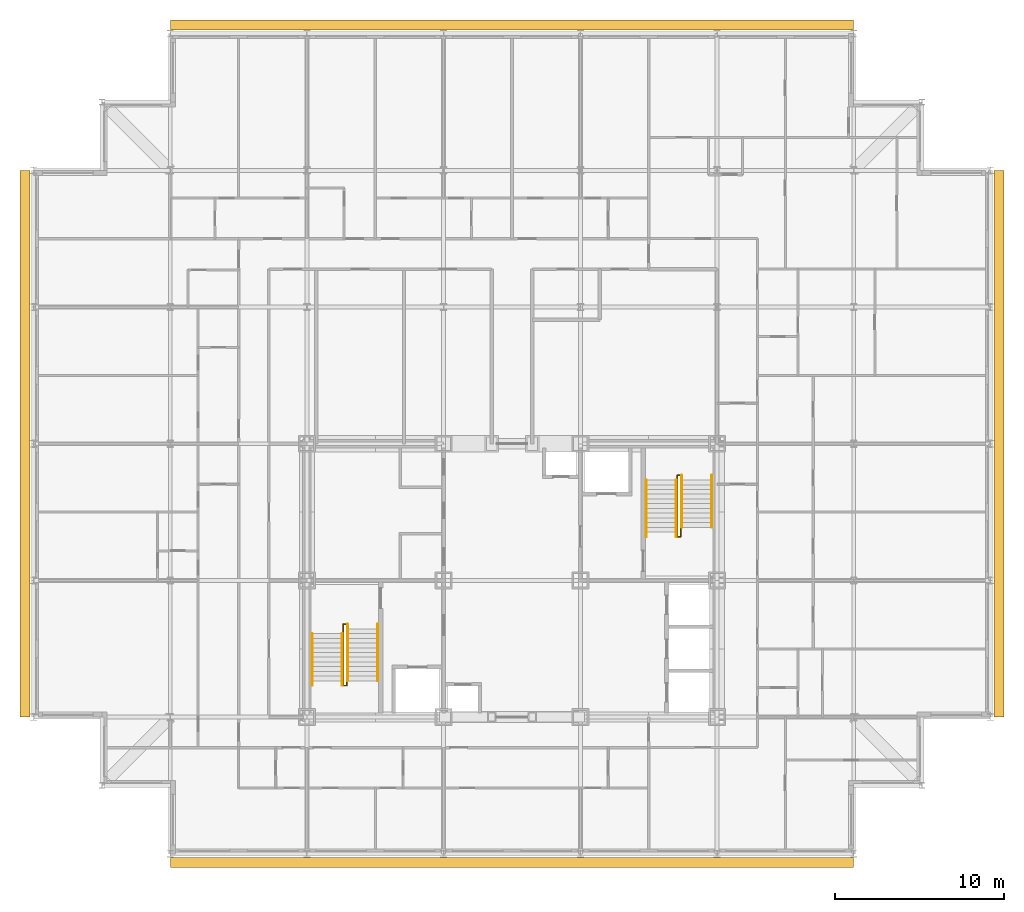
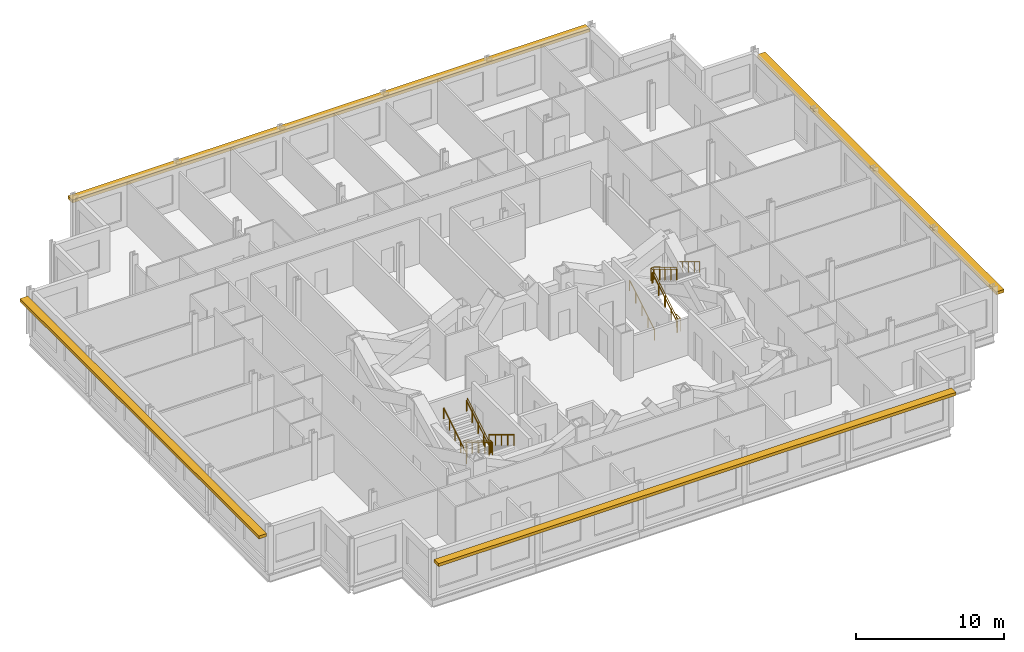
# One storey, part 15 of 15: 10 railings, 4 shading devices.
"""IFC4 building model written with IfcOpenShell, lengths in metres."""

from ifc_helpers import new_model, si_unit, direction, frame, origin, origin_2d, place, context, subcontext, project, spatial, rectangle, circle, extrude, material, type_object, element, save


model = new_model("IFC4")

# Units and contexts
model_context = context("Model", 3, precision=1e-05, world=origin(), true_north=direction((0.0, 1.0)))
body_context = subcontext(model_context, "Body", "Model", "MODEL_VIEW")
ifc_project = project(units=[si_unit("LENGTHUNIT", "METRE"), si_unit("AREAUNIT", "SQUARE_METRE"), si_unit("VOLUMEUNIT", "CUBIC_METRE"), si_unit("PLANEANGLEUNIT", "RADIAN"), si_unit("MASSUNIT", "GRAM", prefix="KILO")], contexts=[model_context])

# Site, building, storey
site_placement = place(None, origin())
site = spatial("IfcSite", under=ifc_project, at=site_placement, CompositionType="ELEMENT")
building_placement = place(site_placement, origin())
building = spatial("IfcBuilding", under=site, at=building_placement, Name="Kopane Lantern Tower", CompositionType="ELEMENT")
storey_placement = place(building_placement, frame((0.0, 0.0, 277.5)))
storey = spatial("IfcBuildingStorey", under=building, at=storey_placement, Name="L71", CompositionType="ELEMENT", Elevation=277.5)

# Railings
ifc_material_1 = material(Name="Steel", Category="steel")
railing_type_1 = type_object("IfcRailingType", Name="STAIR GUARD 1100", PredefinedType="GUARDRAIL", material=ifc_material_1)
railing_1_placement = place(storey_placement, frame((18.35009765625, 29.25, 0.0)))
element("IfcRailing", 1, at=railing_1_placement, inside=storey, type_object=railing_type_1, Name="ST1 well guard L71", PredefinedType="GUARDRAIL", context=body_context, shape_type="SweptSolid", body=[
    extrude(circle(Radius=0.02392578125, at=origin_2d()), frame((0.0, 0.0, 1.076171875), z_axis=(0.0, 1.0, 0.0), x_axis=(-1.0, 0.0, 0.0)), (0.0, 0.0, 1.0), 0.56005859375),
    extrude(circle(Radius=0.02392578125, at=origin_2d()), frame((0.0, 0.56005859375, 1.076171875), z_axis=(1.0, 0.0, 0.0), x_axis=(0.0, 1.0, 0.0)), (0.0, 0.0, 1.0), 0.199951171875),
    extrude(circle(Radius=0.02392578125, at=origin_2d()), frame((0.199951171875, 0.56005859375, 1.076171875), z_axis=(0.0, -0.855368916264, 0.518019321155), x_axis=(1.0, 0.0, 0.0)), (0.0, 0.0, 1.0), 3.92822265625),
    extrude(circle(Radius=0.02392578125, at=origin_2d()), frame((0.199951171875, -2.800048828125, 3.11083984375), z_axis=(0.0, -1.0, 0.0), x_axis=(1.0, 0.0, 0.0)), (0.0, 0.0, 1.0), 0.280029296875),
    extrude(circle(Radius=0.02392578125, at=origin_2d()), frame((0.199951171875, -3.080078125, 3.11083984375), z_axis=(-1.0, 0.0, 0.0), x_axis=(0.0, -1.0, 0.0)), (0.0, 0.0, 1.0), 0.199951171875),
    extrude(circle(Radius=0.02392578125, at=origin_2d()), frame((0.0, -3.080078125, 3.11083984375), z_axis=(0.0, 0.855409959129, 0.517951543895), x_axis=(-1.0, 0.0, 0.0)), (0.0, 0.0, 1.0), 3.6005859375),
    extrude(circle(Radius=0.02099609375, at=origin_2d()), origin(), (0.0, 0.0, 1.0), 1.052001953125),
    extrude(circle(Radius=0.02099609375, at=origin_2d()), frame((0.0, 0.56005859375, 0.0)), (0.0, 0.0, 1.0), 1.052001953125),
    extrude(circle(Radius=0.02099609375, at=origin_2d()), frame((0.199951171875, 0.56005859375, 0.0)), (0.0, 0.0, 1.0), 1.052001953125),
    extrude(circle(Radius=0.02099609375, at=origin_2d()), frame((0.199951171875, -0.280029296875, 0.5087890625)), (0.0, 0.0, 1.0), 1.052001953125),
    extrude(circle(Radius=0.02099609375, at=origin_2d()), frame((0.199951171875, -1.1201171875, 1.017578125)), (0.0, 0.0, 1.0), 1.052001953125),
    extrude(circle(Radius=0.02099609375, at=origin_2d()), frame((0.199951171875, -1.9599609375, 1.526123046875)), (0.0, 0.0, 1.0), 1.052001953125),
    extrude(circle(Radius=0.02099609375, at=origin_2d()), frame((0.199951171875, -2.800048828125, 2.034912109375)), (0.0, 0.0, 1.0), 1.052001953125),
    extrude(circle(Radius=0.02099609375, at=origin_2d()), frame((0.199951171875, -3.080078125, 2.034912109375)), (0.0, 0.0, 1.0), 1.052001953125),
    extrude(circle(Radius=0.02099609375, at=origin_2d()), frame((0.0, -3.080078125, 2.034912109375)), (0.0, 0.0, 1.0), 1.052001953125),
    extrude(circle(Radius=0.02099609375, at=origin_2d()), frame((0.0, -2.31005859375, 2.501220703125)), (0.0, 0.0, 1.0), 1.052001953125),
    extrude(circle(Radius=0.02099609375, at=origin_2d()), frame((0.0, -1.5400390625, 2.96728515625)), (0.0, 0.0, 1.0), 1.052001953125),
    extrude(circle(Radius=0.02099609375, at=origin_2d()), frame((0.0, -0.77001953125, 3.43359375)), (0.0, 0.0, 1.0), 1.052001953125),
    extrude(circle(Radius=0.02099609375, at=origin_2d()), frame((0.0, 0.0, 3.89990234375)), (0.0, 0.0, 1.0), 1.052001953125),
])
railing_2_placement = place(storey_placement, frame((38.35009765625, 35.550048828125, 0.0)))
element("IfcRailing", 2, at=railing_2_placement, inside=storey, type_object=railing_type_1, Name="ST2 well guard L71", PredefinedType="GUARDRAIL", context=body_context, shape_type="SweptSolid", body=[
    extrude(circle(Radius=0.02392578125, at=origin_2d()), frame((0.0, 0.0, 1.076171875), z_axis=(0.0, -1.0, 0.0), x_axis=(1.0, 0.0, 0.0)), (0.0, 0.0, 1.0), 0.56005859375),
    extrude(circle(Radius=0.02392578125, at=origin_2d()), frame((0.0, -0.56005859375, 1.076171875), z_axis=(-1.0, 0.0, 0.0), x_axis=(0.0, -1.0, 0.0)), (0.0, 0.0, 1.0), 0.2001953125),
    extrude(circle(Radius=0.02392578125, at=origin_2d()), frame((-0.2001953125, -0.56005859375, 1.076171875), z_axis=(0.0, 0.855368916264, 0.518019321155), x_axis=(-1.0, 0.0, 0.0)), (0.0, 0.0, 1.0), 3.92822265625),
    extrude(circle(Radius=0.02392578125, at=origin_2d()), frame((-0.2001953125, 2.800048828125, 3.11083984375), z_axis=(0.0, 1.0, 0.0), x_axis=(-1.0, 0.0, 0.0)), (0.0, 0.0, 1.0), 0.27978515625),
    extrude(circle(Radius=0.02392578125, at=origin_2d()), frame((-0.2001953125, 3.079833984375, 3.11083984375), z_axis=(1.0, 0.0, 0.0), x_axis=(0.0, 1.0, 0.0)), (0.0, 0.0, 1.0), 0.2001953125),
    extrude(circle(Radius=0.02392578125, at=origin_2d()), frame((0.0, 3.079833984375, 3.11083984375), z_axis=(0.0, -0.855391767622, 0.517981586434), x_axis=(1.0, 0.0, 0.0)), (0.0, 0.0, 1.0), 3.6005859375),
    extrude(circle(Radius=0.02099609375, at=origin_2d()), origin(), (0.0, 0.0, 1.0), 1.052001953125),
    extrude(circle(Radius=0.02099609375, at=origin_2d()), frame((0.0, -0.56005859375, 0.0)), (0.0, 0.0, 1.0), 1.052001953125),
    extrude(circle(Radius=0.02099609375, at=origin_2d()), frame((-0.2001953125, -0.56005859375, 0.0)), (0.0, 0.0, 1.0), 1.052001953125),
    extrude(circle(Radius=0.02099609375, at=origin_2d()), frame((-0.2001953125, 0.280029296875, 0.5087890625)), (0.0, 0.0, 1.0), 1.052001953125),
    extrude(circle(Radius=0.02099609375, at=origin_2d()), frame((-0.2001953125, 1.1201171875, 1.017578125)), (0.0, 0.0, 1.0), 1.052001953125),
    extrude(circle(Radius=0.02099609375, at=origin_2d()), frame((-0.2001953125, 1.9599609375, 1.526123046875)), (0.0, 0.0, 1.0), 1.052001953125),
    extrude(circle(Radius=0.02099609375, at=origin_2d()), frame((-0.2001953125, 2.800048828125, 2.034912109375)), (0.0, 0.0, 1.0), 1.052001953125),
    extrude(circle(Radius=0.02099609375, at=origin_2d()), frame((-0.2001953125, 3.079833984375, 2.034912109375)), (0.0, 0.0, 1.0), 1.052001953125),
    extrude(circle(Radius=0.02099609375, at=origin_2d()), frame((0.0, 3.079833984375, 2.034912109375)), (0.0, 0.0, 1.0), 1.052001953125),
    extrude(circle(Radius=0.02099609375, at=origin_2d()), frame((0.0, 2.309814453125, 2.501220703125)), (0.0, 0.0, 1.0), 1.052001953125),
    extrude(circle(Radius=0.02099609375, at=origin_2d()), frame((0.0, 1.5400390625, 2.96728515625)), (0.0, 0.0, 1.0), 1.052001953125),
    extrude(circle(Radius=0.02099609375, at=origin_2d()), frame((0.0, 0.77001953125, 3.43359375)), (0.0, 0.0, 1.0), 1.052001953125),
    extrude(circle(Radius=0.02099609375, at=origin_2d()), frame((0.0, 0.0, 3.89990234375)), (0.0, 0.0, 1.0), 1.052001953125),
])
ifc_material_2 = material(Name="Steel", Category="steel")
railing_type_2 = type_object("IfcRailingType", Name="STAIR HANDRAIL 900", PredefinedType="HANDRAIL", material=ifc_material_2)
for number, where, name in (
    (3, (20.389892578125, 29.81005859375, 0.0), "ST1 handrail L71 flight 1"),
    (4, (18.610107421875, 29.81005859375, 0.0), "ST1 handrail L71 flight 1"),
):
    element("IfcRailing", number, at=place(storey_placement, frame(where)), inside=storey, type_object=railing_type_2, Name=name, PredefinedType="HANDRAIL", context=body_context, shape_type="SweptSolid", body=[
        extrude(circle(Radius=0.02392578125, at=origin_2d()), frame((0.0, 0.0, 0.8759765625), z_axis=(0.0, -0.855368916264, 0.518019321155), x_axis=(1.0, 0.0, 0.0)), (0.0, 0.0, 1.0), 3.92822265625),
        extrude(circle(Radius=0.02099609375, at=origin_2d()), origin(), (0.0, 0.0, 1.0), 0.851806640625),
        extrude(circle(Radius=0.02099609375, at=origin_2d()), frame((0.0, -0.840087890625, 0.5087890625)), (0.0, 0.0, 1.0), 0.851806640625),
        extrude(circle(Radius=0.02099609375, at=origin_2d()), frame((0.0, -1.68017578125, 1.017578125)), (0.0, 0.0, 1.0), 0.851806640625),
        extrude(circle(Radius=0.02099609375, at=origin_2d()), frame((0.0, -2.52001953125, 1.526123046875)), (0.0, 0.0, 1.0), 0.851806640625),
        extrude(circle(Radius=0.02099609375, at=origin_2d()), frame((0.0, -3.360107421875, 2.034912109375)), (0.0, 0.0, 1.0), 0.851806640625),
    ])
for number, where, name in (
    (5, (16.510009765625, 26.169921875, 2.034912109375), "ST1 handrail L71 flight 2"),
    (6, (18.2900390625, 26.169921875, 2.034912109375), "ST1 handrail L71 flight 2"),
):
    element("IfcRailing", number, at=place(storey_placement, frame(where)), inside=storey, type_object=railing_type_2, Name=name, PredefinedType="HANDRAIL", context=body_context, shape_type="SweptSolid", body=[
        extrude(circle(Radius=0.02392578125, at=origin_2d()), frame((0.0, 0.0, 0.8759765625), z_axis=(0.0, 0.855409959129, 0.517951543895), x_axis=(-1.0, 0.0, 0.0)), (0.0, 0.0, 1.0), 3.6005859375),
        extrude(circle(Radius=0.02099609375, at=origin_2d()), origin(), (0.0, 0.0, 1.0), 0.851806640625),
        extrude(circle(Radius=0.02099609375, at=origin_2d()), frame((0.0, 0.77001953125, 0.46630859375)), (0.0, 0.0, 1.0), 0.851806640625),
        extrude(circle(Radius=0.02099609375, at=origin_2d()), frame((0.0, 1.5400390625, 0.9326171875)), (0.0, 0.0, 1.0), 0.851806640625),
        extrude(circle(Radius=0.02099609375, at=origin_2d()), frame((0.0, 2.31005859375, 1.398681640625)), (0.0, 0.0, 1.0), 0.851806640625),
        extrude(circle(Radius=0.02099609375, at=origin_2d()), frame((0.0, 3.080078125, 1.864990234375)), (0.0, 0.0, 1.0), 0.851806640625),
    ])
for number, where, name in (
    (7, (36.31005859375, 34.989990234375, 0.0), "ST2 handrail L71 flight 1"),
    (8, (38.090087890625, 34.989990234375, 0.0), "ST2 handrail L71 flight 1"),
):
    element("IfcRailing", number, at=place(storey_placement, frame(where)), inside=storey, type_object=railing_type_2, Name=name, PredefinedType="HANDRAIL", context=body_context, shape_type="SweptSolid", body=[
        extrude(circle(Radius=0.02392578125, at=origin_2d()), frame((0.0, 0.0, 0.8759765625), z_axis=(0.0, 0.855368916264, 0.518019321155), x_axis=(-1.0, 0.0, 0.0)), (0.0, 0.0, 1.0), 3.92822265625),
        extrude(circle(Radius=0.02099609375, at=origin_2d()), origin(), (0.0, 0.0, 1.0), 0.851806640625),
        extrude(circle(Radius=0.02099609375, at=origin_2d()), frame((0.0, 0.840087890625, 0.5087890625)), (0.0, 0.0, 1.0), 0.851806640625),
        extrude(circle(Radius=0.02099609375, at=origin_2d()), frame((0.0, 1.68017578125, 1.017578125)), (0.0, 0.0, 1.0), 0.851806640625),
        extrude(circle(Radius=0.02099609375, at=origin_2d()), frame((0.0, 2.52001953125, 1.526123046875)), (0.0, 0.0, 1.0), 0.851806640625),
        extrude(circle(Radius=0.02099609375, at=origin_2d()), frame((0.0, 3.360107421875, 2.034912109375)), (0.0, 0.0, 1.0), 0.851806640625),
    ])
for number, where, name in (
    (9, (40.18994140625, 38.6298828125, 2.034912109375), "ST2 handrail L71 flight 2"),
    (10, (38.409912109375, 38.6298828125, 2.034912109375), "ST2 handrail L71 flight 2"),
):
    element("IfcRailing", number, at=place(storey_placement, frame(where)), inside=storey, type_object=railing_type_2, Name=name, PredefinedType="HANDRAIL", context=body_context, shape_type="SweptSolid", body=[
        extrude(circle(Radius=0.02392578125, at=origin_2d()), frame((0.0, 0.0, 0.8759765625), z_axis=(0.0, -0.855391767622, 0.517981586434), x_axis=(1.0, 0.0, 0.0)), (0.0, 0.0, 1.0), 3.6005859375),
        extrude(circle(Radius=0.02099609375, at=origin_2d()), origin(), (0.0, 0.0, 1.0), 0.851806640625),
        extrude(circle(Radius=0.02099609375, at=origin_2d()), frame((0.0, -0.77001953125, 0.46630859375)), (0.0, 0.0, 1.0), 0.851806640625),
        extrude(circle(Radius=0.02099609375, at=origin_2d()), frame((0.0, -1.5400390625, 0.9326171875)), (0.0, 0.0, 1.0), 0.851806640625),
        extrude(circle(Radius=0.02099609375, at=origin_2d()), frame((0.0, -2.309814453125, 1.398681640625)), (0.0, 0.0, 1.0), 0.851806640625),
        extrude(circle(Radius=0.02099609375, at=origin_2d()), frame((0.0, -3.079833984375, 1.864990234375)), (0.0, 0.0, 1.0), 0.851806640625),
    ])

# Shading devices
ifc_material_3 = material(Name="Terracotta rainscreen on light steel framing", Category="masonry")
shading_device_type = type_object("IfcShadingDeviceType", Name="SUNSHADE BAND SB1 600 TERRACOTTA", PredefinedType="USERDEFINED", material=ifc_material_3)
shading_device_1_placement = place(storey_placement, frame((28.35009765625, 15.6904296875, 3.0), z_axis=(0.0, 0.0, 1.0), x_axis=(1.0, 0.0, 0.0)))
element("IfcShadingDevice", 11, at=shading_device_1_placement, inside=storey, type_object=shading_device_type, Name="Sunshade band S L71", ObjectType="SUNSHADE BAND", PredefinedType="USERDEFINED", context=body_context, shape_type="SweptSolid", body=[
    extrude(rectangle(XDim=40.5, YDim=0.60009765625, at=origin_2d()), origin(), (0.0, 0.0, 1.0), 0.25),
])
shading_device_2_placement = place(storey_placement, frame((57.20361328125, 40.5, 3.0), z_axis=(0.0, 0.0, 1.0), x_axis=(0.0, 1.0, 0.0)))
element("IfcShadingDevice", 12, at=shading_device_2_placement, inside=storey, type_object=shading_device_type, Name="Sunshade band E L71", ObjectType="SUNSHADE BAND", PredefinedType="USERDEFINED", context=body_context, shape_type="SweptSolid", body=[
    extrude(rectangle(XDim=32.39990234375, YDim=0.60009765625, at=origin_2d()), origin(), (0.0, 0.0, 1.0), 0.25),
])
shading_device_3_placement = place(storey_placement, frame((28.35009765625, 65.3095703125, 3.0), z_axis=(0.0, 0.0, 1.0), x_axis=(-1.0, 0.0, 0.0)))
element("IfcShadingDevice", 13, at=shading_device_3_placement, inside=storey, type_object=shading_device_type, Name="Sunshade band N L71", ObjectType="SUNSHADE BAND", PredefinedType="USERDEFINED", context=body_context, shape_type="SweptSolid", body=[
    extrude(rectangle(XDim=40.5, YDim=0.60009765625, at=origin_2d()), origin(), (0.0, 0.0, 1.0), 0.25),
])
shading_device_4_placement = place(storey_placement, frame((-0.50341796875, 40.5, 3.0), z_axis=(0.0, 0.0, 1.0), x_axis=(0.0, -1.0, 0.0)))
element("IfcShadingDevice", 14, at=shading_device_4_placement, inside=storey, type_object=shading_device_type, Name="Sunshade band W L71", ObjectType="SUNSHADE BAND", PredefinedType="USERDEFINED", context=body_context, shape_type="SweptSolid", body=[
    extrude(rectangle(XDim=32.39990234375, YDim=0.60009765625, at=origin_2d()), origin(), (0.0, 0.0, 1.0), 0.25),
])

save(model, "model.ifc")
